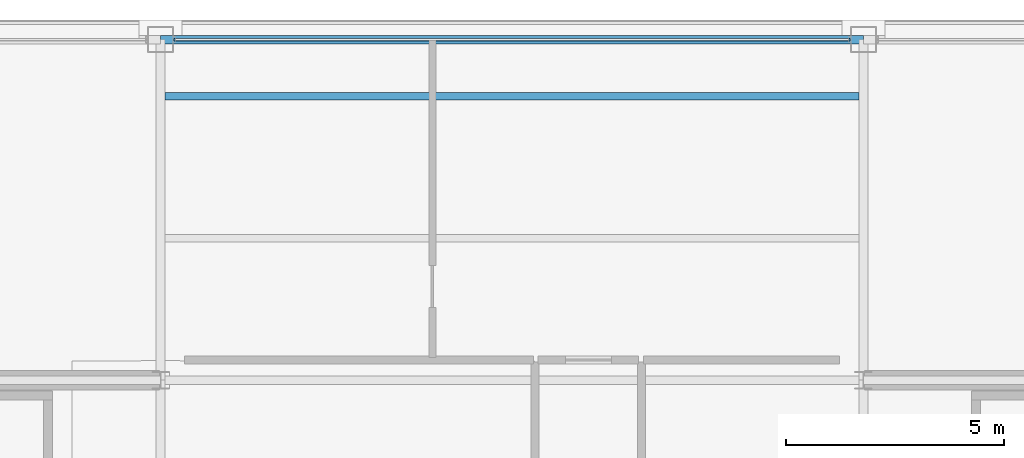
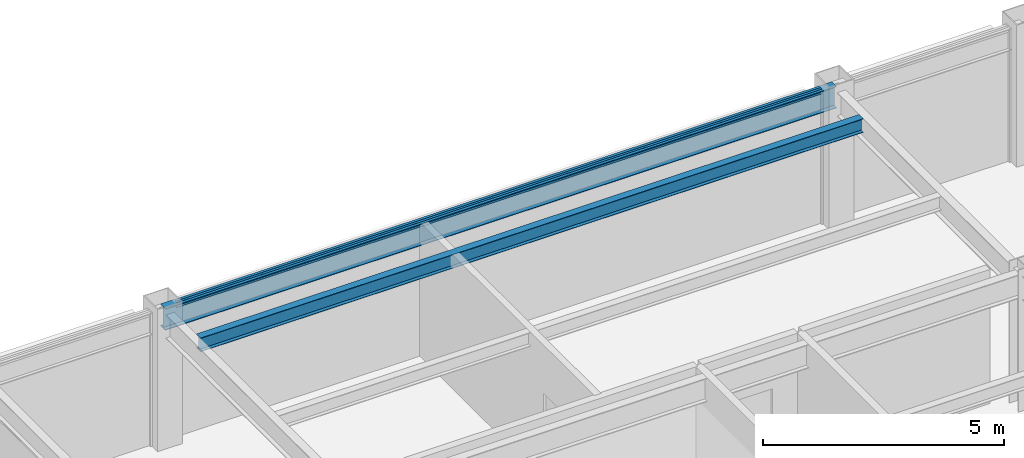
# One storey, part 14 of 20: 2 beams, 1 member, 1 element without a shape of its own.
"""IFC4 building model written with IfcOpenShell, lengths in metres."""

from ifc_helpers import new_model, si_unit, direction, frame, origin, origin_2d, place, context, subcontext, project, spatial, hollow_rectangle, i_section, extrude, material, layer, layer_set, material_profile, profile_set, type_object, element, aggregate, save


model = new_model("IFC4")

# Units and contexts
model_context = context("Model", 3, precision=1e-05, world=origin(), true_north=direction((0.0, 1.0)))
body_context = subcontext(model_context, "Body", "Model", "MODEL_VIEW")
ifc_project = project(units=[si_unit("LENGTHUNIT", "METRE"), si_unit("AREAUNIT", "SQUARE_METRE"), si_unit("VOLUMEUNIT", "CUBIC_METRE"), si_unit("PLANEANGLEUNIT", "RADIAN"), si_unit("MASSUNIT", "GRAM", prefix="KILO")], contexts=[model_context])

# Site, building, storey
site_placement = place(None, origin())
site = spatial("IfcSite", under=ifc_project, at=site_placement, CompositionType="ELEMENT")
building_placement = place(site_placement, origin())
building = spatial("IfcBuilding", under=site, at=building_placement, Name="Brelmoor Portico Tower", CompositionType="ELEMENT")
storey_placement = place(building_placement, frame((0.0, 0.0, 272.39990234375)))
storey = spatial("IfcBuildingStorey", under=building, at=storey_placement, Name="L72", CompositionType="ELEMENT", Elevation=272.39990234375)

# Beams
ifc_material_1 = material(Name="Steel Q355B", Category="steel")
ifc_material_profile_1 = material_profile(ifc_material_1, i_section(OverallWidth=0.175048828125, OverallDepth=0.35009765625, WebThickness=0.007080078125, FlangeThickness=0.010986328125, at=origin_2d()), Name="HN 350x175x7x11")
ifc_profile_set_1 = profile_set([ifc_material_profile_1], Name="Steel Q355B")
beam_type_1 = type_object("IfcBeamType", Name="BM-JS-350", PredefinedType="JOIST", material=ifc_profile_set_1)
beam_1_placement = place(storey_placement, frame((-7.949951171875, 16.25, 3.22509765625), z_axis=(1.0, 0.0, 0.0), x_axis=(0.0, 1.0, 0.0)))
element("IfcBeam", 1, at=beam_1_placement, inside=storey, type_object=beam_type_1, Name="L72 Secondary Composite Joist JS-C06", PredefinedType="JOIST", context=body_context, shape_type="SweptSolid", body=[
    extrude(i_section(OverallWidth=0.175048828125, OverallDepth=0.35009765625, WebThickness=0.007080078125, FlangeThickness=0.010986328125, at=origin_2d()), origin(), (0.0, 0.0, 1.0), 15.89990234375),
])
ifc_material_profile_2 = material_profile(ifc_material_1, i_section(OverallWidth=0.199951171875, OverallDepth=0.550048828125, WebThickness=0.010009765625, FlangeThickness=0.01611328125, at=origin_2d()), Name="HN 550x200x10x16")
ifc_profile_set_2 = profile_set([ifc_material_profile_2], Name="Steel Q355B")
beam_type_2 = type_object("IfcBeamType", Name="BM-SP-550", PredefinedType="SPANDREL", material=ifc_profile_set_2)
beam_2_placement = place(storey_placement, frame((-8.050048828125, 17.550048828125, 3.125), z_axis=(1.0, 0.0, 0.0), x_axis=(0.0, 1.0, 0.0)))
element("IfcBeam", 2, at=beam_2_placement, inside=storey, type_object=beam_type_2, Name="L72 Perimeter Spandrel Beam SP-09", PredefinedType="SPANDREL", context=body_context, shape_type="SweptSolid", body=[
    extrude(i_section(OverallWidth=0.199951171875, OverallDepth=0.550048828125, WebThickness=0.010009765625, FlangeThickness=0.01611328125, at=origin_2d()), origin(), (0.0, 0.0, 1.0), 16.10009765625),
])

# Curtain wall, member
ifc_material_2 = material(Name="Anodised Aluminium Alloy 6063-T6", Category="aluminium")
ifc_layer = layer(ifc_material_2, 0.179931640625)
ifc_layer_set = layer_set([ifc_layer], Name="Anodised Aluminium Alloy 6063-T6")
curtain_wall_type = type_object("IfcCurtainWallType", Name="CW-TOWER-Z4-XB", PredefinedType="NOTDEFINED", material=ifc_layer_set)
curtain_wall_placement = place(storey_placement, origin())
curtain_wall = element("IfcCurtainWall", 3, at=curtain_wall_placement, inside=storey, type_object=curtain_wall_type, Name="L72 Curtain Wall CW-L72-02-2", PredefinedType="NOTDEFINED")
ifc_material_profile_3 = material_profile(ifc_material_2, hollow_rectangle(XDim=0.06005859375, YDim=0.125, WallThickness=0.00341796875, at=origin_2d()), Name="ALU TRANSOM 60x125")
ifc_profile_set_3 = profile_set([ifc_material_profile_3], Name="Anodised Aluminium Alloy 6063-T6")
member_type = type_object("IfcMemberType", Name="MB-CW-TRAN-125", PredefinedType="USERDEFINED", material=ifc_profile_set_3)
member_placement = place(storey_placement, frame((-7.739990234375, 17.550048828125, 3.337646484375), z_axis=(1.0, 0.0, 0.0), x_axis=(0.0, 1.0, 0.0)))
member = element("IfcMember", 4, at=member_placement, type_object=member_type, Name="CW-L72-02-2 Transom 1-00", ObjectType="TRANSOM", PredefinedType="USERDEFINED", context=body_context, shape_type="SweptSolid", body=[
    extrude(hollow_rectangle(XDim=0.06005859375, YDim=0.125, WallThickness=0.00341796875, at=origin_2d()), origin(), (0.0, 0.0, 1.0), 15.47998046875),
])
aggregate(curtain_wall, [member])

save(model, "model.ifc")
